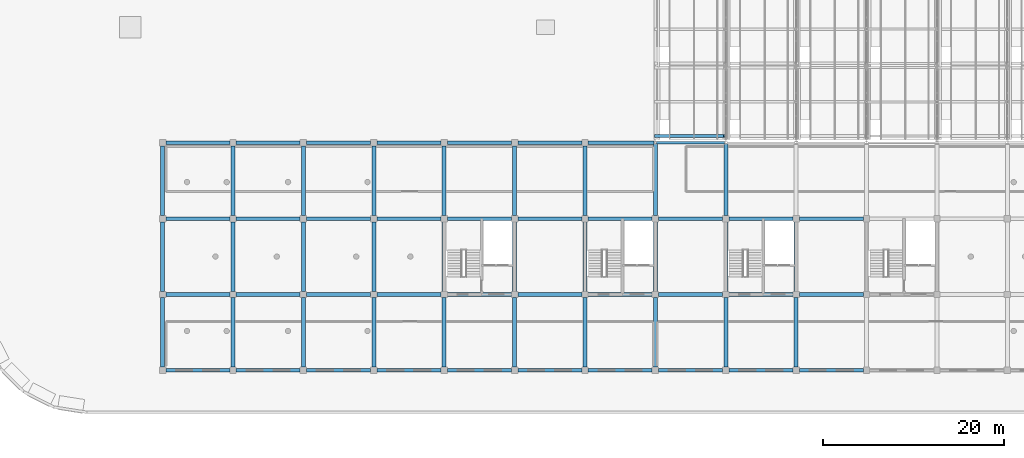
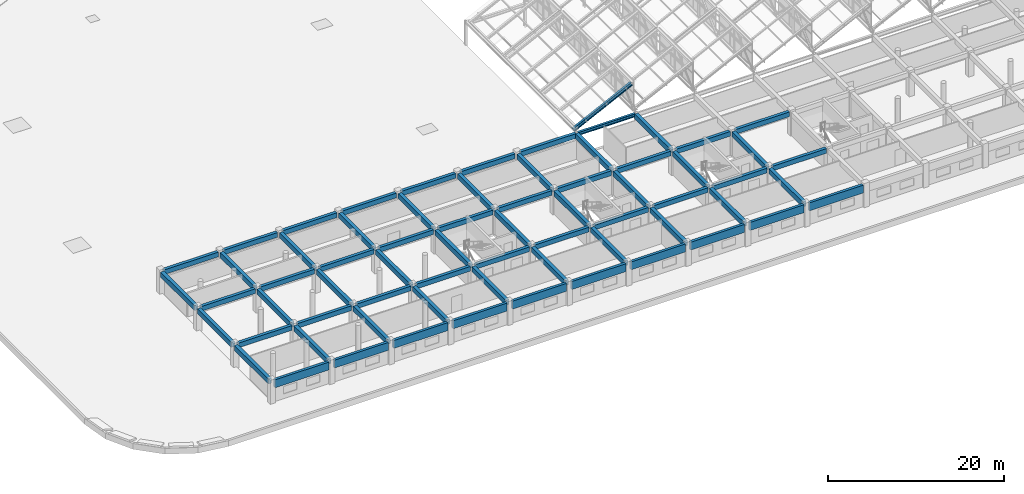
# One storey, part 9 of 101: 67 beams, 1 member.
"""IFC4 building model written with IfcOpenShell, lengths in metres."""

from ifc_helpers import new_model, si_unit, direction, frame, origin, origin_2d, place, context, subcontext, project, spatial, rectangle, i_section, extrude, material, material_profile, profile_set, type_object, element, save


model = new_model("IFC4")

# Units and contexts
model_context = context("Model", 3, precision=1e-05, world=origin(), true_north=direction((0.0, 1.0)))
body_context = subcontext(model_context, "Body", "Model", "MODEL_VIEW")
ifc_project = project(units=[si_unit("LENGTHUNIT", "METRE"), si_unit("AREAUNIT", "SQUARE_METRE"), si_unit("VOLUMEUNIT", "CUBIC_METRE"), si_unit("PLANEANGLEUNIT", "RADIAN"), si_unit("MASSUNIT", "GRAM", prefix="KILO")], contexts=[model_context])

# Site, building, storey
site_placement = place(None, origin())
site = spatial("IfcSite", under=ifc_project, at=site_placement, CompositionType="ELEMENT")
building_placement = place(site_placement, origin())
building = spatial("IfcBuilding", under=site, at=building_placement, Name="Zizhar Promenade General Hospital", CompositionType="ELEMENT")
storey_placement = place(building_placement, frame((0.0, 0.0, 14.39990234375)))
storey = spatial("IfcBuildingStorey", under=building, at=storey_placement, Name="L03", CompositionType="ELEMENT", Elevation=14.39990234375)

# Beams
ifc_material_1 = material(Name="Precast concrete C40/50", Category="concrete")
ifc_material_profile_1 = material_profile(ifc_material_1, rectangle(XDim=0.35009765625, YDim=1.10009765625, at=origin_2d()))
ifc_profile_set_1 = profile_set([ifc_material_profile_1], Name="Precast concrete C40/50")
beam_type_1 = type_object("IfcBeamType", Name="BM-PC-BAND1100", PredefinedType="SPANDREL", material=ifc_profile_set_1)
for number, where, z_axis, x_axis, name in (
    (1, (15.949951171875, 0.0, 2.760009765625), (1.0, 0.0, 0.0), (0.0, 1.0, 0.0), "Grid Beam X L03 (2-0)"),
    (2, (23.75, 0.0, 2.760009765625), (1.0, 0.0, 0.0), (0.0, 1.0, 0.0), "Grid Beam X L03 (3-0)"),
):
    element("IfcBeam", number, at=place(storey_placement, frame(where, z_axis=z_axis, x_axis=x_axis)), inside=storey, type_object=beam_type_1, Name=name, PredefinedType="SPANDREL", context=body_context, shape_type="SweptSolid", body=[
        extrude(rectangle(XDim=0.35009765625, YDim=1.10009765625, at=origin_2d()), origin(), (0.0, 0.0, 1.0), 7.10009765625),
    ])
for number, where, z_axis, x_axis, name in (
    (3, (31.550048828125, 0.0, 2.760009765625), (1.0, 0.0, 0.0), (0.0, 1.0, 0.0), "Grid Beam X L03 (4-0)"),
    (4, (39.35009765625, 0.0, 2.760009765625), (1.0, 0.0, 0.0), (0.0, 1.0, 0.0), "Grid Beam X L03 (5-0)"),
):
    element("IfcBeam", number, at=place(storey_placement, frame(where, z_axis=z_axis, x_axis=x_axis)), inside=storey, type_object=beam_type_1, Name=name, PredefinedType="SPANDREL", context=body_context, shape_type="SweptSolid", body=[
        extrude(rectangle(XDim=0.35009765625, YDim=1.10009765625, at=origin_2d()), origin(), (0.0, 0.0, 1.0), 7.099853515625),
    ])
for number, where, z_axis, x_axis, name in (
    (5, (47.14990234375, 0.0, 2.760009765625), (1.0, 0.0, 0.0), (0.0, 1.0, 0.0), "Grid Beam X L03 (6-0)"),
    (6, (54.949951171875, 0.0, 2.760009765625), (1.0, 0.0, 0.0), (0.0, 1.0, 0.0), "Grid Beam X L03 (7-0)"),
    (7, (62.75, 0.0, 2.760009765625), (1.0, 0.0, 0.0), (0.0, 1.0, 0.0), "Grid Beam X L03 (8-0)"),
):
    element("IfcBeam", number, at=place(storey_placement, frame(where, z_axis=z_axis, x_axis=x_axis)), inside=storey, type_object=beam_type_1, Name=name, PredefinedType="SPANDREL", context=body_context, shape_type="SweptSolid", body=[
        extrude(rectangle(XDim=0.35009765625, YDim=1.10009765625, at=origin_2d()), origin(), (0.0, 0.0, 1.0), 7.10009765625),
    ])
for number, where, z_axis, x_axis, name in (
    (8, (70.550048828125, 0.0, 2.760009765625), (1.0, 0.0, 0.0), (0.0, 1.0, 0.0), "Grid Beam X L03 (9-0)"),
    (9, (78.35009765625, 0.0, 2.760009765625), (1.0, 0.0, 0.0), (0.0, 1.0, 0.0), "Grid Beam X L03 (10-0)"),
):
    element("IfcBeam", number, at=place(storey_placement, frame(where, z_axis=z_axis, x_axis=x_axis)), inside=storey, type_object=beam_type_1, Name=name, PredefinedType="SPANDREL", context=body_context, shape_type="SweptSolid", body=[
        extrude(rectangle(XDim=0.35009765625, YDim=1.10009765625, at=origin_2d()), origin(), (0.0, 0.0, 1.0), 7.099853515625),
    ])
beam_1_placement = place(storey_placement, frame((86.14990234375, 0.0, 2.760009765625), z_axis=(1.0, 0.0, 0.0), x_axis=(0.0, 1.0, 0.0)))
element("IfcBeam", 10, at=beam_1_placement, inside=storey, type_object=beam_type_1, Name="Grid Beam X L03 (11-0)", PredefinedType="SPANDREL", context=body_context, shape_type="SweptSolid", body=[
    extrude(rectangle(XDim=0.35009765625, YDim=1.10009765625, at=origin_2d()), origin(), (0.0, 0.0, 1.0), 7.10009765625),
])
ifc_material_2 = material(Name="Concrete C35/45", Category="concrete")
ifc_material_profile_2 = material_profile(ifc_material_2, rectangle(XDim=0.39990234375, YDim=0.64990234375, at=origin_2d()))
ifc_profile_set_2 = profile_set([ifc_material_profile_2], Name="Concrete C35/45")
beam_type_2 = type_object("IfcBeamType", Name="BM-RC-400x650", PredefinedType="BEAM", material=ifc_profile_set_2)
for number, where, z_axis, x_axis, name in (
    (11, (15.949951171875, 8.39990234375, 2.985107421875), (1.0, 0.0, 0.0), (0.0, 1.0, 0.0), "Grid Beam X L03 (2-1)"),
    (12, (15.949951171875, 16.800048828125, 2.985107421875), (1.0, 0.0, 0.0), (0.0, 1.0, 0.0), "Grid Beam X L03 (2-2)"),
    (13, (15.949951171875, 25.199951171875, 2.985107421875), (1.0, 0.0, 0.0), (0.0, 1.0, 0.0), "Grid Beam X L03 (2-3)"),
    (14, (23.75, 8.39990234375, 2.985107421875), (1.0, 0.0, 0.0), (0.0, 1.0, 0.0), "Grid Beam X L03 (3-1)"),
    (15, (23.75, 16.800048828125, 2.985107421875), (1.0, 0.0, 0.0), (0.0, 1.0, 0.0), "Grid Beam X L03 (3-2)"),
    (16, (23.75, 25.199951171875, 2.985107421875), (1.0, 0.0, 0.0), (0.0, 1.0, 0.0), "Grid Beam X L03 (3-3)"),
):
    element("IfcBeam", number, at=place(storey_placement, frame(where, z_axis=z_axis, x_axis=x_axis)), inside=storey, type_object=beam_type_2, Name=name, PredefinedType="BEAM", context=body_context, shape_type="SweptSolid", body=[
        extrude(rectangle(XDim=0.39990234375, YDim=0.64990234375, at=origin_2d()), origin(), (0.0, 0.0, 1.0), 7.10009765625),
    ])
for number, where, z_axis, x_axis, name in (
    (17, (31.550048828125, 8.39990234375, 2.985107421875), (1.0, 0.0, 0.0), (0.0, 1.0, 0.0), "Grid Beam X L03 (4-1)"),
    (18, (31.550048828125, 16.800048828125, 2.985107421875), (1.0, 0.0, 0.0), (0.0, 1.0, 0.0), "Grid Beam X L03 (4-2)"),
    (19, (31.550048828125, 25.199951171875, 2.985107421875), (1.0, 0.0, 0.0), (0.0, 1.0, 0.0), "Grid Beam X L03 (4-3)"),
    (20, (39.35009765625, 8.39990234375, 2.985107421875), (1.0, 0.0, 0.0), (0.0, 1.0, 0.0), "Grid Beam X L03 (5-1)"),
    (21, (39.35009765625, 16.800048828125, 2.985107421875), (1.0, 0.0, 0.0), (0.0, 1.0, 0.0), "Grid Beam X L03 (5-2)"),
    (22, (39.35009765625, 25.199951171875, 2.985107421875), (1.0, 0.0, 0.0), (0.0, 1.0, 0.0), "Grid Beam X L03 (5-3)"),
):
    element("IfcBeam", number, at=place(storey_placement, frame(where, z_axis=z_axis, x_axis=x_axis)), inside=storey, type_object=beam_type_2, Name=name, PredefinedType="BEAM", context=body_context, shape_type="SweptSolid", body=[
        extrude(rectangle(XDim=0.39990234375, YDim=0.64990234375, at=origin_2d()), origin(), (0.0, 0.0, 1.0), 7.099853515625),
    ])
for number, where, z_axis, x_axis, name in (
    (23, (47.14990234375, 8.39990234375, 2.985107421875), (1.0, 0.0, 0.0), (0.0, 1.0, 0.0), "Grid Beam X L03 (6-1)"),
    (24, (47.14990234375, 16.800048828125, 2.985107421875), (1.0, 0.0, 0.0), (0.0, 1.0, 0.0), "Grid Beam X L03 (6-2)"),
    (25, (47.14990234375, 25.199951171875, 2.985107421875), (1.0, 0.0, 0.0), (0.0, 1.0, 0.0), "Grid Beam X L03 (6-3)"),
    (26, (54.949951171875, 8.39990234375, 2.985107421875), (1.0, 0.0, 0.0), (0.0, 1.0, 0.0), "Grid Beam X L03 (7-1)"),
    (27, (54.949951171875, 16.800048828125, 2.985107421875), (1.0, 0.0, 0.0), (0.0, 1.0, 0.0), "Grid Beam X L03 (7-2)"),
    (28, (54.949951171875, 25.199951171875, 2.985107421875), (1.0, 0.0, 0.0), (0.0, 1.0, 0.0), "Grid Beam X L03 (7-3)"),
    (29, (62.75, 8.39990234375, 2.985107421875), (1.0, 0.0, 0.0), (0.0, 1.0, 0.0), "Grid Beam X L03 (8-1)"),
    (30, (62.75, 16.800048828125, 2.985107421875), (1.0, 0.0, 0.0), (0.0, 1.0, 0.0), "Grid Beam X L03 (8-2)"),
):
    element("IfcBeam", number, at=place(storey_placement, frame(where, z_axis=z_axis, x_axis=x_axis)), inside=storey, type_object=beam_type_2, Name=name, PredefinedType="BEAM", context=body_context, shape_type="SweptSolid", body=[
        extrude(rectangle(XDim=0.39990234375, YDim=0.64990234375, at=origin_2d()), origin(), (0.0, 0.0, 1.0), 7.10009765625),
    ])
beam_2_placement = place(storey_placement, frame((62.75, 25.199951171875, 2.985107421875), z_axis=(1.0, 0.0, 0.0), x_axis=(0.0, 1.0, 0.0)))
element("IfcBeam", 31, at=beam_2_placement, inside=storey, type_object=beam_type_2, Name="Grid Beam X L03 (8-3)", PredefinedType="BEAM", context=body_context, shape_type="SweptSolid", body=[
    extrude(rectangle(XDim=0.39990234375, YDim=0.64990234375, at=origin_2d()), origin(), (0.0, 0.0, 1.0), 7.300048828125),
])
for number, where, z_axis, x_axis, name in (
    (32, (70.550048828125, 8.39990234375, 2.985107421875), (1.0, 0.0, 0.0), (0.0, 1.0, 0.0), "Grid Beam X L03 (9-1)"),
    (33, (70.550048828125, 16.800048828125, 2.985107421875), (1.0, 0.0, 0.0), (0.0, 1.0, 0.0), "Grid Beam X L03 (9-2)"),
    (34, (78.35009765625, 8.39990234375, 2.985107421875), (1.0, 0.0, 0.0), (0.0, 1.0, 0.0), "Grid Beam X L03 (10-1)"),
    (35, (78.35009765625, 16.800048828125, 2.985107421875), (1.0, 0.0, 0.0), (0.0, 1.0, 0.0), "Grid Beam X L03 (10-2)"),
):
    element("IfcBeam", number, at=place(storey_placement, frame(where, z_axis=z_axis, x_axis=x_axis)), inside=storey, type_object=beam_type_2, Name=name, PredefinedType="BEAM", context=body_context, shape_type="SweptSolid", body=[
        extrude(rectangle(XDim=0.39990234375, YDim=0.64990234375, at=origin_2d()), origin(), (0.0, 0.0, 1.0), 7.099853515625),
    ])
for number, where, z_axis, x_axis, name in (
    (36, (86.14990234375, 8.39990234375, 2.985107421875), (1.0, 0.0, 0.0), (0.0, 1.0, 0.0), "Grid Beam X L03 (11-1)"),
    (37, (86.14990234375, 16.800048828125, 2.985107421875), (1.0, 0.0, 0.0), (0.0, 1.0, 0.0), "Grid Beam X L03 (11-2)"),
):
    element("IfcBeam", number, at=place(storey_placement, frame(where, z_axis=z_axis, x_axis=x_axis)), inside=storey, type_object=beam_type_2, Name=name, PredefinedType="BEAM", context=body_context, shape_type="SweptSolid", body=[
        extrude(rectangle(XDim=0.39990234375, YDim=0.64990234375, at=origin_2d()), origin(), (0.0, 0.0, 1.0), 7.10009765625),
    ])
ifc_material_3 = material(Name="Concrete C35/45", Category="concrete")
ifc_material_profile_3 = material_profile(ifc_material_3, rectangle(XDim=0.449951171875, YDim=0.699951171875, at=origin_2d()))
ifc_profile_set_3 = profile_set([ifc_material_profile_3], Name="Concrete C35/45")
beam_type_3 = type_object("IfcBeamType", Name="BM-RC-450x700", PredefinedType="BEAM", material=ifc_profile_set_3)
for number, where, z_axis, x_axis, name in (
    (38, (15.60009765625, 0.35009765625, 2.960205078125), (0.0, 1.0, 0.0), (-1.0, 0.0, 0.0), "Grid Beam Y L03 (2-0)"),
    (39, (15.60009765625, 8.75, 2.960205078125), (0.0, 1.0, 0.0), (-1.0, 0.0, 0.0), "Grid Beam Y L03 (2-1)"),
):
    element("IfcBeam", number, at=place(storey_placement, frame(where, z_axis=z_axis, x_axis=x_axis)), inside=storey, type_object=beam_type_3, Name=name, PredefinedType="BEAM", context=body_context, shape_type="SweptSolid", body=[
        extrude(rectangle(XDim=0.449951171875, YDim=0.699951171875, at=origin_2d()), origin(), (0.0, 0.0, 1.0), 7.699951171875),
    ])
beam_3_placement = place(storey_placement, frame((15.60009765625, 17.14990234375, 2.960205078125), z_axis=(0.0, 1.0, 0.0), x_axis=(-1.0, 0.0, 0.0)))
element("IfcBeam", 40, at=beam_3_placement, inside=storey, type_object=beam_type_3, Name="Grid Beam Y L03 (2-2)", PredefinedType="BEAM", context=body_context, shape_type="SweptSolid", body=[
    extrude(rectangle(XDim=0.449951171875, YDim=0.699951171875, at=origin_2d()), origin(), (0.0, 0.0, 1.0), 7.7001953125),
])
for number, where, z_axis, x_axis, name in (
    (41, (23.39990234375, 0.35009765625, 2.960205078125), (0.0, 1.0, 0.0), (-1.0, 0.0, 0.0), "Grid Beam Y L03 (3-0)"),
    (42, (23.39990234375, 8.75, 2.960205078125), (0.0, 1.0, 0.0), (-1.0, 0.0, 0.0), "Grid Beam Y L03 (3-1)"),
):
    element("IfcBeam", number, at=place(storey_placement, frame(where, z_axis=z_axis, x_axis=x_axis)), inside=storey, type_object=beam_type_3, Name=name, PredefinedType="BEAM", context=body_context, shape_type="SweptSolid", body=[
        extrude(rectangle(XDim=0.449951171875, YDim=0.699951171875, at=origin_2d()), origin(), (0.0, 0.0, 1.0), 7.699951171875),
    ])
beam_4_placement = place(storey_placement, frame((23.39990234375, 17.14990234375, 2.960205078125), z_axis=(0.0, 1.0, 0.0), x_axis=(-1.0, 0.0, 0.0)))
element("IfcBeam", 43, at=beam_4_placement, inside=storey, type_object=beam_type_3, Name="Grid Beam Y L03 (3-2)", PredefinedType="BEAM", context=body_context, shape_type="SweptSolid", body=[
    extrude(rectangle(XDim=0.449951171875, YDim=0.699951171875, at=origin_2d()), origin(), (0.0, 0.0, 1.0), 7.7001953125),
])
for number, where, z_axis, x_axis, name in (
    (44, (31.199951171875, 0.35009765625, 2.960205078125), (0.0, 1.0, 0.0), (-1.0, 0.0, 0.0), "Grid Beam Y L03 (4-0)"),
    (45, (31.199951171875, 8.75, 2.960205078125), (0.0, 1.0, 0.0), (-1.0, 0.0, 0.0), "Grid Beam Y L03 (4-1)"),
):
    element("IfcBeam", number, at=place(storey_placement, frame(where, z_axis=z_axis, x_axis=x_axis)), inside=storey, type_object=beam_type_3, Name=name, PredefinedType="BEAM", context=body_context, shape_type="SweptSolid", body=[
        extrude(rectangle(XDim=0.449951171875, YDim=0.699951171875, at=origin_2d()), origin(), (0.0, 0.0, 1.0), 7.699951171875),
    ])
beam_5_placement = place(storey_placement, frame((31.199951171875, 17.14990234375, 2.960205078125), z_axis=(0.0, 1.0, 0.0), x_axis=(-1.0, 0.0, 0.0)))
element("IfcBeam", 46, at=beam_5_placement, inside=storey, type_object=beam_type_3, Name="Grid Beam Y L03 (4-2)", PredefinedType="BEAM", context=body_context, shape_type="SweptSolid", body=[
    extrude(rectangle(XDim=0.449951171875, YDim=0.699951171875, at=origin_2d()), origin(), (0.0, 0.0, 1.0), 7.7001953125),
])
for number, where, z_axis, x_axis, name in (
    (47, (39.0, 0.35009765625, 2.960205078125), (0.0, 1.0, 0.0), (-1.0, 0.0, 0.0), "Grid Beam Y L03 (5-0)"),
    (48, (39.0, 8.75, 2.960205078125), (0.0, 1.0, 0.0), (-1.0, 0.0, 0.0), "Grid Beam Y L03 (5-1)"),
):
    element("IfcBeam", number, at=place(storey_placement, frame(where, z_axis=z_axis, x_axis=x_axis)), inside=storey, type_object=beam_type_3, Name=name, PredefinedType="BEAM", context=body_context, shape_type="SweptSolid", body=[
        extrude(rectangle(XDim=0.449951171875, YDim=0.699951171875, at=origin_2d()), origin(), (0.0, 0.0, 1.0), 7.699951171875),
    ])
beam_6_placement = place(storey_placement, frame((39.0, 17.14990234375, 2.960205078125), z_axis=(0.0, 1.0, 0.0), x_axis=(-1.0, 0.0, 0.0)))
element("IfcBeam", 49, at=beam_6_placement, inside=storey, type_object=beam_type_3, Name="Grid Beam Y L03 (5-2)", PredefinedType="BEAM", context=body_context, shape_type="SweptSolid", body=[
    extrude(rectangle(XDim=0.449951171875, YDim=0.699951171875, at=origin_2d()), origin(), (0.0, 0.0, 1.0), 7.7001953125),
])
for number, where, z_axis, x_axis, name in (
    (50, (46.800048828125, 0.35009765625, 2.960205078125), (0.0, 1.0, 0.0), (-1.0, 0.0, 0.0), "Grid Beam Y L03 (6-0)"),
    (51, (46.800048828125, 8.75, 2.960205078125), (0.0, 1.0, 0.0), (-1.0, 0.0, 0.0), "Grid Beam Y L03 (6-1)"),
):
    element("IfcBeam", number, at=place(storey_placement, frame(where, z_axis=z_axis, x_axis=x_axis)), inside=storey, type_object=beam_type_3, Name=name, PredefinedType="BEAM", context=body_context, shape_type="SweptSolid", body=[
        extrude(rectangle(XDim=0.449951171875, YDim=0.699951171875, at=origin_2d()), origin(), (0.0, 0.0, 1.0), 7.699951171875),
    ])
beam_7_placement = place(storey_placement, frame((46.800048828125, 17.14990234375, 2.960205078125), z_axis=(0.0, 1.0, 0.0), x_axis=(-1.0, 0.0, 0.0)))
element("IfcBeam", 52, at=beam_7_placement, inside=storey, type_object=beam_type_3, Name="Grid Beam Y L03 (6-2)", PredefinedType="BEAM", context=body_context, shape_type="SweptSolid", body=[
    extrude(rectangle(XDim=0.449951171875, YDim=0.699951171875, at=origin_2d()), origin(), (0.0, 0.0, 1.0), 7.7001953125),
])
for number, where, z_axis, x_axis, name in (
    (53, (54.60009765625, 0.35009765625, 2.960205078125), (0.0, 1.0, 0.0), (-1.0, 0.0, 0.0), "Grid Beam Y L03 (7-0)"),
    (54, (54.60009765625, 8.75, 2.960205078125), (0.0, 1.0, 0.0), (-1.0, 0.0, 0.0), "Grid Beam Y L03 (7-1)"),
):
    element("IfcBeam", number, at=place(storey_placement, frame(where, z_axis=z_axis, x_axis=x_axis)), inside=storey, type_object=beam_type_3, Name=name, PredefinedType="BEAM", context=body_context, shape_type="SweptSolid", body=[
        extrude(rectangle(XDim=0.449951171875, YDim=0.699951171875, at=origin_2d()), origin(), (0.0, 0.0, 1.0), 7.699951171875),
    ])
beam_8_placement = place(storey_placement, frame((54.60009765625, 17.14990234375, 2.960205078125), z_axis=(0.0, 1.0, 0.0), x_axis=(-1.0, 0.0, 0.0)))
element("IfcBeam", 55, at=beam_8_placement, inside=storey, type_object=beam_type_3, Name="Grid Beam Y L03 (7-2)", PredefinedType="BEAM", context=body_context, shape_type="SweptSolid", body=[
    extrude(rectangle(XDim=0.449951171875, YDim=0.699951171875, at=origin_2d()), origin(), (0.0, 0.0, 1.0), 7.7001953125),
])
for number, where, z_axis, x_axis, name in (
    (56, (62.39990234375, 0.35009765625, 2.960205078125), (0.0, 1.0, 0.0), (-1.0, 0.0, 0.0), "Grid Beam Y L03 (8-0)"),
    (57, (62.39990234375, 8.75, 2.960205078125), (0.0, 1.0, 0.0), (-1.0, 0.0, 0.0), "Grid Beam Y L03 (8-1)"),
):
    element("IfcBeam", number, at=place(storey_placement, frame(where, z_axis=z_axis, x_axis=x_axis)), inside=storey, type_object=beam_type_3, Name=name, PredefinedType="BEAM", context=body_context, shape_type="SweptSolid", body=[
        extrude(rectangle(XDim=0.449951171875, YDim=0.699951171875, at=origin_2d()), origin(), (0.0, 0.0, 1.0), 7.699951171875),
    ])
beam_9_placement = place(storey_placement, frame((62.39990234375, 17.14990234375, 2.960205078125), z_axis=(0.0, 1.0, 0.0), x_axis=(-1.0, 0.0, 0.0)))
element("IfcBeam", 58, at=beam_9_placement, inside=storey, type_object=beam_type_3, Name="Grid Beam Y L03 (8-2)", PredefinedType="BEAM", context=body_context, shape_type="SweptSolid", body=[
    extrude(rectangle(XDim=0.449951171875, YDim=0.699951171875, at=origin_2d()), origin(), (0.0, 0.0, 1.0), 7.7001953125),
])
for number, where, z_axis, x_axis, name in (
    (59, (70.199951171875, 0.35009765625, 2.960205078125), (0.0, 1.0, 0.0), (-1.0, 0.0, 0.0), "Grid Beam Y L03 (9-0)"),
    (60, (70.199951171875, 8.75, 2.960205078125), (0.0, 1.0, 0.0), (-1.0, 0.0, 0.0), "Grid Beam Y L03 (9-1)"),
):
    element("IfcBeam", number, at=place(storey_placement, frame(where, z_axis=z_axis, x_axis=x_axis)), inside=storey, type_object=beam_type_3, Name=name, PredefinedType="BEAM", context=body_context, shape_type="SweptSolid", body=[
        extrude(rectangle(XDim=0.449951171875, YDim=0.699951171875, at=origin_2d()), origin(), (0.0, 0.0, 1.0), 7.699951171875),
    ])
beam_10_placement = place(storey_placement, frame((70.199951171875, 17.14990234375, 2.960205078125), z_axis=(0.0, 1.0, 0.0), x_axis=(-1.0, 0.0, 0.0)))
element("IfcBeam", 61, at=beam_10_placement, inside=storey, type_object=beam_type_3, Name="Grid Beam Y L03 (9-2)", PredefinedType="BEAM", context=body_context, shape_type="SweptSolid", body=[
    extrude(rectangle(XDim=0.449951171875, YDim=0.699951171875, at=origin_2d()), origin(), (0.0, 0.0, 1.0), 7.900146484375),
])
for number, where, z_axis, x_axis, name in (
    (62, (78.0, 0.35009765625, 2.960205078125), (0.0, 1.0, 0.0), (-1.0, 0.0, 0.0), "Grid Beam Y L03 (10-0)"),
    (63, (78.0, 8.75, 2.960205078125), (0.0, 1.0, 0.0), (-1.0, 0.0, 0.0), "Grid Beam Y L03 (10-1)"),
):
    element("IfcBeam", number, at=place(storey_placement, frame(where, z_axis=z_axis, x_axis=x_axis)), inside=storey, type_object=beam_type_3, Name=name, PredefinedType="BEAM", context=body_context, shape_type="SweptSolid", body=[
        extrude(rectangle(XDim=0.449951171875, YDim=0.699951171875, at=origin_2d()), origin(), (0.0, 0.0, 1.0), 7.699951171875),
    ])
beam_11_placement = place(storey_placement, frame((78.0, 17.14990234375, 2.960205078125), z_axis=(0.0, 1.0, 0.0), x_axis=(-1.0, 0.0, 0.0)))
element("IfcBeam", 64, at=beam_11_placement, inside=storey, type_object=beam_type_3, Name="Grid Beam Y L03 (10-2)", PredefinedType="BEAM", context=body_context, shape_type="SweptSolid", body=[
    extrude(rectangle(XDim=0.449951171875, YDim=0.699951171875, at=origin_2d()), origin(), (0.0, 0.0, 1.0), 7.900146484375),
])
for number, where, z_axis, x_axis, name in (
    (65, (85.800048828125, 0.35009765625, 2.960205078125), (0.0, 1.0, 0.0), (-1.0, 0.0, 0.0), "Grid Beam Y L03 (11-0)"),
    (66, (85.800048828125, 8.75, 2.960205078125), (0.0, 1.0, 0.0), (-1.0, 0.0, 0.0), "Grid Beam Y L03 (11-1)"),
):
    element("IfcBeam", number, at=place(storey_placement, frame(where, z_axis=z_axis, x_axis=x_axis)), inside=storey, type_object=beam_type_3, Name=name, PredefinedType="BEAM", context=body_context, shape_type="SweptSolid", body=[
        extrude(rectangle(XDim=0.449951171875, YDim=0.699951171875, at=origin_2d()), origin(), (0.0, 0.0, 1.0), 7.699951171875),
    ])
ifc_material_4 = material(Name="Steel S355", Category="steel")
ifc_material_profile_4 = material_profile(ifc_material_4, i_section(OverallWidth=0.300048828125, OverallDepth=0.449951171875, WebThickness=0.013916015625, FlangeThickness=0.02587890625, FilletRadius=0.027099609375, at=origin_2d()))
ifc_profile_set_4 = profile_set([ifc_material_profile_4], Name="Steel S355")
beam_type_4 = type_object("IfcBeamType", Name="BM-STL-HEB450", PredefinedType="BEAM", material=ifc_profile_set_4)
beam_12_placement = place(storey_placement, frame((70.35009765625, 25.199951171875, 3.085205078125), z_axis=(1.0, 0.0, 0.0), x_axis=(0.0, 1.0, 0.0)))
element("IfcBeam", 67, at=beam_12_placement, inside=storey, type_object=beam_type_4, Name="Grid Beam X L03 (9-3)", PredefinedType="BEAM", context=body_context, shape_type="SweptSolid", body=[
    extrude(i_section(OverallWidth=0.300048828125, OverallDepth=0.449951171875, WebThickness=0.013916015625, FlangeThickness=0.02587890625, FilletRadius=0.027099609375, at=origin_2d()), origin(), (0.0, 0.0, 1.0), 7.5),
])

# Member
ifc_material_5 = material(Name="Steel S355", Category="steel")
ifc_material_profile_5 = material_profile(ifc_material_5, i_section(OverallWidth=0.300048828125, OverallDepth=0.489990234375, WebThickness=0.011962890625, FlangeThickness=0.02294921875, FilletRadius=0.027099609375, at=origin_2d()))
ifc_profile_set_5 = profile_set([ifc_material_profile_5], Name="Steel S355")
member_type = type_object("IfcMemberType", Name="MEM-RAFT-HEA500", PredefinedType="RAFTER", material=ifc_profile_set_5)
member_placement = place(storey_placement, frame((70.199951171875, 25.949951171875, 3.219970703125), z_axis=(0.896710487916, 0.0, 0.442617555979), x_axis=(0.0, 1.0, 0.0)))
element("IfcMember", 68, at=member_placement, inside=storey, type_object=member_type, Name="Sawtooth Bay 1 Rafter 1-1", PredefinedType="RAFTER", context=body_context, shape_type="SweptSolid", body=[
    extrude(i_section(OverallWidth=0.300048828125, OverallDepth=0.489990234375, WebThickness=0.011962890625, FlangeThickness=0.02294921875, FilletRadius=0.027099609375, at=origin_2d()), origin(), (0.0, 0.0, 1.0), 8.53125),
])

save(model, "model.ifc")
